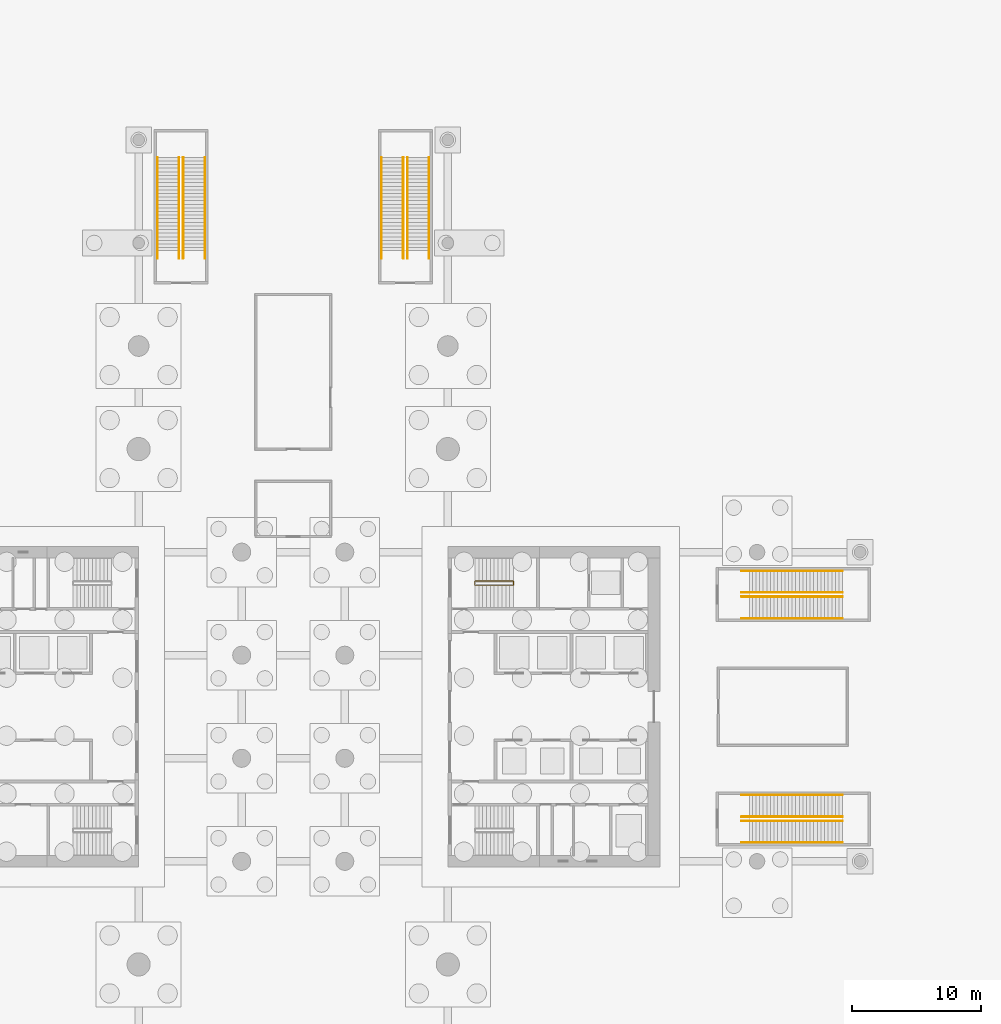
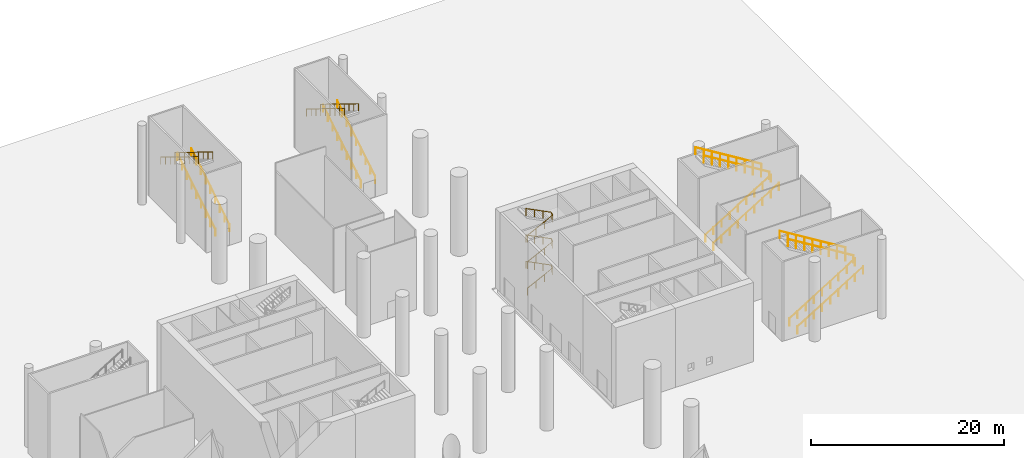
# One storey, part 12 of 14: 17 railings.
"""IFC4 building model written with IfcOpenShell, lengths in metres."""

import ifcopenshell
import ifcopenshell.guid

model = None  # the IFC model being written
_history = None  # IfcOwnerHistory: only IFC2X3 demands one
_inside = {}  # id of a spatial element -> (the spatial element, [elements in it])
_under = {}  # id of a project, library or spatial element -> (it, [spatial elements below it])
_declared = {}  # id of a project -> (the project, [libraries it declares])
_typed = {}  # id of a type object -> (the type object, [elements of that type])
_made_of = {}  # id of a material, layer set ... -> (it, [elements and type objects made of it])


def new_model(schema):
    """Start an empty IFC model of exactly this schema.

    Asked for "IFC4X3", IfcOpenShell would pick the latest addendum, in which some entities
    have other attributes; the version numbers below select the first issue.
    IFC2X3 requires an IfcOwnerHistory on every rooted entity: one is made here for all.
    """
    global model, _history
    if schema == "IFC4X3":
        model = ifcopenshell.file(schema_version=(4, 3, 0, 0))
    else:
        model = ifcopenshell.file(schema=schema)
    _inside.clear()
    _under.clear()
    _declared.clear()
    _typed.clear()
    _made_of.clear()
    _history = None
    if model.schema == "IFC2X3":
        org = make("IfcOrganization", Name="unknown")
        user = make(
            "IfcPersonAndOrganization",
            ThePerson=make("IfcPerson", FamilyName="unknown"),
            TheOrganization=org,
        )
        app = make(
            "IfcApplication",
            ApplicationDeveloper=org,
            Version="unknown",
            ApplicationFullName="unknown",
            ApplicationIdentifier="unknown",
        )
        _history = make(
            "IfcOwnerHistory",
            OwningUser=user,
            OwningApplication=app,
            ChangeAction="ADDED",
            CreationDate=0,
        )
    return model


def make(cls, **values):
    """One entity of the class cls with the attributes given. An attribute that is None is left unset."""
    return model.create_entity(
        cls, **{name: value for name, value in values.items() if value is not None}
    )


def rooted(cls, **values):
    """An entity with a GlobalId (a new one), such as an element, a storey or a relation."""
    return make(cls, GlobalId=ifcopenshell.guid.new(), OwnerHistory=_history, **values)


def si_unit(unit_type, name, prefix=None):
    """IfcSIUnit, for example si_unit("LENGTHUNIT", "METRE", prefix="MILLI")."""
    return make("IfcSIUnit", UnitType=unit_type, Prefix=prefix, Name=name)


def assignment(units):
    """IfcUnitAssignment: the units of a project."""
    return None if units is None else make("IfcUnitAssignment", Units=units)


def point(xyz):
    """IfcCartesianPoint."""
    return None if xyz is None else make("IfcCartesianPoint", Coordinates=xyz)


def direction(xyz):
    """IfcDirection."""
    return None if xyz is None else make("IfcDirection", DirectionRatios=xyz)


def frame(location, z_axis=None, x_axis=None):
    """IfcAxis2Placement3D, a coordinate frame: its origin and axes. An axis left out is left unset."""
    return make(
        "IfcAxis2Placement3D",
        Location=point(location),
        Axis=direction(z_axis),
        RefDirection=direction(x_axis),
    )


def frame_2d(location, x_axis=None):
    """IfcAxis2Placement2D, a coordinate frame in the plane: its origin and x axis."""
    return make(
        "IfcAxis2Placement2D", Location=point(location), RefDirection=direction(x_axis)
    )


def origin():
    """The frame at (0, 0, 0) with its axes left unset."""
    return frame((0.0, 0.0, 0.0))


def origin_2d():
    """The frame at (0, 0) in the plane with its x axis left unset."""
    return frame_2d((0.0, 0.0))


def place(relative_to, where):
    """IfcLocalPlacement: puts the frame where relative to a parent placement (None: the world)."""
    return make(
        "IfcLocalPlacement", PlacementRelTo=relative_to, RelativePlacement=where
    )


def context(
    kind, dimensions, precision=None, world=None, true_north=None, identifier=None
):
    """IfcGeometricRepresentationContext, for example the 3D "Model" context."""
    return make(
        "IfcGeometricRepresentationContext",
        ContextIdentifier=identifier,
        ContextType=kind,
        CoordinateSpaceDimension=dimensions,
        Precision=precision,
        WorldCoordinateSystem=world,
        TrueNorth=true_north,
    )


def subcontext(parent, identifier, kind, view, scale=None):
    """IfcGeometricRepresentationSubContext, for example "Body" below "Model"."""
    return make(
        "IfcGeometricRepresentationSubContext",
        ContextIdentifier=identifier,
        ContextType=kind,
        ParentContext=parent,
        TargetScale=scale,
        TargetView=view,
    )


def project(units=None, contexts=None):
    """IfcProject with its units and contexts."""
    return rooted(
        "IfcProject",
        Name="project",
        RepresentationContexts=contexts,
        UnitsInContext=assignment(units),
    )


def spatial(cls, under=None, at=None, **own):
    """A site, building, storey or space (cls), placed at a placement, below another one or the project."""
    s = rooted(cls, ObjectPlacement=at, **own)
    if under is not None:
        _under.setdefault(under.id(), (under, []))[1].append(s)
    return s


def profile(cls, at=None, kind="AREA", **sizes):
    """A parametric profile (cls). Its sizes go by their IFC names, for example OverallWidth=200.0."""
    return make(cls, ProfileType=kind, Position=at, **sizes)


def circle(**sizes):
    """IfcCircleProfileDef."""
    return profile("IfcCircleProfileDef", **sizes)


def extrude(swept, where, along, depth):
    """IfcExtrudedAreaSolid: the profile swept, set in the frame where, extruded along a direction by depth."""
    return make(
        "IfcExtrudedAreaSolid",
        SweptArea=swept,
        Position=where,
        ExtrudedDirection=direction(along),
        Depth=depth,
    )


def shape(context_of_items, identifier, shape_type, items):
    """IfcShapeRepresentation: the items that make up one representation, for example the "Body"."""
    return make(
        "IfcShapeRepresentation",
        ContextOfItems=context_of_items,
        RepresentationIdentifier=identifier,
        RepresentationType=shape_type,
        Items=items,
    )


def material(Name=None, Category=None):
    """IfcMaterial."""
    return make("IfcMaterial", Name=Name, Category=Category)


def made_of(thing, what):
    """Note that an element or type object is made of a material, layer set ...; save() writes the relation."""
    if what is not None:
        _made_of.setdefault(what.id(), (what, []))[1].append(thing)
    return thing


def type_object(cls, material=None, **own):
    """A type object (cls), such as IfcWallType, which elements share."""
    return made_of(rooted(cls, **own), material)


def element(
    cls,
    number,
    at=None,
    inside=None,
    cuts=None,
    type_object=None,
    material=None,
    context=None,
    identifier="Body",
    shape_type=None,
    held_by="IfcProductDefinitionShape",
    body=None,
    shapes=None,
    **own,
):
    """One element of the class cls, such as IfcWall. Its Tag is "e" and its number.

    at: its placement. inside: the storey or other place that contains it. cuts: it is an
    opening in that element (IfcRelVoidsElement). A single representation is given by context,
    identifier, shape_type and body (its items); several are given by shapes. held_by: the class
    of the entity that holds the representations. save() writes the other relations.
    """
    e = rooted(cls, Tag="e%d" % number, ObjectPlacement=at, **own)
    if body is not None:
        shapes = [shape(context, identifier, shape_type, body)]
    if shapes is not None:
        e.Representation = make(held_by, Representations=shapes)
    if inside is not None:
        _inside.setdefault(inside.id(), (inside, []))[1].append(e)
    if cuts is not None:
        rooted(
            "IfcRelVoidsElement", RelatingBuildingElement=cuts, RelatedOpeningElement=e
        )
    if type_object is not None:
        _typed.setdefault(type_object.id(), (type_object, []))[1].append(e)
    return made_of(e, material)


def aggregate(whole, parts):
    """IfcRelAggregates: a whole, such as a stair, and the parts it consists of."""
    return rooted("IfcRelAggregates", RelatingObject=whole, RelatedObjects=parts)


def save(model, path):
    """Write the relations noted so far, then the file.

    IfcRelAggregates (storeys below a building ...), IfcRelContainedInSpatialStructure (elements
    in a storey), IfcRelDefinesByType, IfcRelAssociatesMaterial and IfcRelDeclares: one each for
    every whole, place, type object, material and project.
    """
    for whole, parts in _under.values():
        aggregate(whole, parts)
    for where, things in _inside.values():
        rooted(
            "IfcRelContainedInSpatialStructure",
            RelatedElements=things,
            RelatingStructure=where,
        )
    for kind, things in _typed.values():
        rooted("IfcRelDefinesByType", RelatedObjects=things, RelatingType=kind)
    for what, things in _made_of.values():
        rooted("IfcRelAssociatesMaterial", RelatedObjects=things, RelatingMaterial=what)
    for by, libraries in _declared.values():
        rooted("IfcRelDeclares", RelatingContext=by, RelatedDefinitions=libraries)
    model.write(path)


model = new_model("IFC4")

# Units and contexts
model_context = context("Model", 3, precision=1e-05, world=origin(), true_north=direction((0.0, 1.0)))
body_context = subcontext(model_context, "Body", "Model", "MODEL_VIEW")
ifc_project = project(units=[si_unit("LENGTHUNIT", "METRE"), si_unit("AREAUNIT", "SQUARE_METRE"), si_unit("VOLUMEUNIT", "CUBIC_METRE"), si_unit("PLANEANGLEUNIT", "RADIAN"), si_unit("MASSUNIT", "GRAM", prefix="KILO")], contexts=[model_context])

# Site, building, storey
site_placement = place(None, origin())
site = spatial("IfcSite", under=ifc_project, at=site_placement, CompositionType="ELEMENT")
building_placement = place(site_placement, origin())
building = spatial("IfcBuilding", under=site, at=building_placement, Name="Crosswind Convention Tower", CompositionType="ELEMENT")
storey_placement = place(building_placement, origin())
storey = spatial("IfcBuildingStorey", under=building, at=storey_placement, Name="L00", CompositionType="ELEMENT", Elevation=0.0)

# Railings
ifc_material = material(Name="Stainless steel", Category="steel")
railing_type_1 = type_object("IfcRailingType", Name="STAIR HANDRAIL 900", PredefinedType="HANDRAIL", material=ifc_material)
for number, where, name in (
    (1, (159.800048828125, 89.4599609375, 0.17236328125), "Handrail E1 L00 1"),
    (2, (159.800048828125, 91.139892578125, 0.17236328125), "Handrail E1 L00 2"),
):
    element("IfcRailing", number, at=place(storey_placement, frame(where)), inside=storey, type_object=railing_type_1, Name=name, PredefinedType="HANDRAIL", context=body_context, shape_type="SweptSolid", body=[
        extrude(circle(Radius=0.02392578125, at=origin_2d()), frame((0.0, 0.0, 0.8759765625), z_axis=(0.851507146974, 0.0, 0.524342997143), x_axis=(0.0, 1.0, 0.0)), (0.0, 0.0, 1.0), 9.20703125),
        extrude(circle(Radius=0.02099609375, at=origin_2d()), origin(), (0.0, 0.0, 1.0), 0.851806640625),
        extrude(circle(Radius=0.02099609375, at=origin_2d()), frame((0.97998046875, 0.0, 0.603515625)), (0.0, 0.0, 1.0), 0.851806640625),
        extrude(circle(Radius=0.02099609375, at=origin_2d()), frame((1.9599609375, 0.0, 1.20703125)), (0.0, 0.0, 1.0), 0.851806640625),
        extrude(circle(Radius=0.02099609375, at=origin_2d()), frame((2.93994140625, 0.0, 1.810302734375)), (0.0, 0.0, 1.0), 0.851806640625),
        extrude(circle(Radius=0.02099609375, at=origin_2d()), frame((3.919921875, 0.0, 2.413818359375)), (0.0, 0.0, 1.0), 0.851806640625),
        extrude(circle(Radius=0.02099609375, at=origin_2d()), frame((4.89990234375, 0.0, 3.017333984375)), (0.0, 0.0, 1.0), 0.851806640625),
        extrude(circle(Radius=0.02099609375, at=origin_2d()), frame((5.8798828125, 0.0, 3.62060546875)), (0.0, 0.0, 1.0), 0.851806640625),
        extrude(circle(Radius=0.02099609375, at=origin_2d()), frame((6.85986328125, 0.0, 4.22412109375)), (0.0, 0.0, 1.0), 0.851806640625),
        extrude(circle(Radius=0.02099609375, at=origin_2d()), frame((7.83984375, 0.0, 4.82763671875)), (0.0, 0.0, 1.0), 0.851806640625),
    ])
for number, where, name in (
    (3, (167.639892578125, 91.4599609375, 5.17236328125), "Handrail E1 L00 3"),
    (4, (167.639892578125, 93.139892578125, 5.17236328125), "Handrail E1 L00 4"),
):
    element("IfcRailing", number, at=place(storey_placement, frame(where)), inside=storey, type_object=railing_type_1, Name=name, PredefinedType="HANDRAIL", context=body_context, shape_type="SweptSolid", body=[
        extrude(circle(Radius=0.02392578125, at=origin_2d()), frame((0.0, 0.0, 0.8759765625), z_axis=(-0.851507146974, 0.0, 0.524342997143), x_axis=(0.0, -1.0, 0.0)), (0.0, 0.0, 1.0), 9.20703125),
        extrude(circle(Radius=0.02099609375, at=origin_2d()), origin(), (0.0, 0.0, 1.0), 0.851806640625),
        extrude(circle(Radius=0.02099609375, at=origin_2d()), frame((-0.97998046875, 0.0, 0.603515625)), (0.0, 0.0, 1.0), 0.851806640625),
        extrude(circle(Radius=0.02099609375, at=origin_2d()), frame((-1.9599609375, 0.0, 1.20703125)), (0.0, 0.0, 1.0), 0.851806640625),
        extrude(circle(Radius=0.02099609375, at=origin_2d()), frame((-2.93994140625, 0.0, 1.810302734375)), (0.0, 0.0, 1.0), 0.851806640625),
        extrude(circle(Radius=0.02099609375, at=origin_2d()), frame((-3.919921875, 0.0, 2.413818359375)), (0.0, 0.0, 1.0), 0.851806640625),
        extrude(circle(Radius=0.02099609375, at=origin_2d()), frame((-4.89990234375, 0.0, 3.017333984375)), (0.0, 0.0, 1.0), 0.851806640625),
        extrude(circle(Radius=0.02099609375, at=origin_2d()), frame((-5.8798828125, 0.0, 3.62060546875)), (0.0, 0.0, 1.0), 0.851806640625),
        extrude(circle(Radius=0.02099609375, at=origin_2d()), frame((-6.85986328125, 0.0, 4.22412109375)), (0.0, 0.0, 1.0), 0.851806640625),
        extrude(circle(Radius=0.02099609375, at=origin_2d()), frame((-7.83984375, 0.0, 4.82763671875)), (0.0, 0.0, 1.0), 0.851806640625),
    ])
for number, where, name in (
    (5, (159.800048828125, 106.860107421875, 0.17236328125), "Handrail E2 L00 1"),
    (6, (159.800048828125, 108.5400390625, 0.17236328125), "Handrail E2 L00 2"),
):
    element("IfcRailing", number, at=place(storey_placement, frame(where)), inside=storey, type_object=railing_type_1, Name=name, PredefinedType="HANDRAIL", context=body_context, shape_type="SweptSolid", body=[
        extrude(circle(Radius=0.02392578125, at=origin_2d()), frame((0.0, 0.0, 0.8759765625), z_axis=(0.851507146974, 0.0, 0.524342997143), x_axis=(0.0, 1.0, 0.0)), (0.0, 0.0, 1.0), 9.20703125),
        extrude(circle(Radius=0.02099609375, at=origin_2d()), origin(), (0.0, 0.0, 1.0), 0.851806640625),
        extrude(circle(Radius=0.02099609375, at=origin_2d()), frame((0.97998046875, 0.0, 0.603515625)), (0.0, 0.0, 1.0), 0.851806640625),
        extrude(circle(Radius=0.02099609375, at=origin_2d()), frame((1.9599609375, 0.0, 1.20703125)), (0.0, 0.0, 1.0), 0.851806640625),
        extrude(circle(Radius=0.02099609375, at=origin_2d()), frame((2.93994140625, 0.0, 1.810302734375)), (0.0, 0.0, 1.0), 0.851806640625),
        extrude(circle(Radius=0.02099609375, at=origin_2d()), frame((3.919921875, 0.0, 2.413818359375)), (0.0, 0.0, 1.0), 0.851806640625),
        extrude(circle(Radius=0.02099609375, at=origin_2d()), frame((4.89990234375, 0.0, 3.017333984375)), (0.0, 0.0, 1.0), 0.851806640625),
        extrude(circle(Radius=0.02099609375, at=origin_2d()), frame((5.8798828125, 0.0, 3.62060546875)), (0.0, 0.0, 1.0), 0.851806640625),
        extrude(circle(Radius=0.02099609375, at=origin_2d()), frame((6.85986328125, 0.0, 4.22412109375)), (0.0, 0.0, 1.0), 0.851806640625),
        extrude(circle(Radius=0.02099609375, at=origin_2d()), frame((7.83984375, 0.0, 4.82763671875)), (0.0, 0.0, 1.0), 0.851806640625),
    ])
for number, where, name in (
    (7, (167.639892578125, 108.860107421875, 5.17236328125), "Handrail E2 L00 3"),
    (8, (167.639892578125, 110.5400390625, 5.17236328125), "Handrail E2 L00 4"),
):
    element("IfcRailing", number, at=place(storey_placement, frame(where)), inside=storey, type_object=railing_type_1, Name=name, PredefinedType="HANDRAIL", context=body_context, shape_type="SweptSolid", body=[
        extrude(circle(Radius=0.02392578125, at=origin_2d()), frame((0.0, 0.0, 0.8759765625), z_axis=(-0.851507146974, 0.0, 0.524342997143), x_axis=(0.0, -1.0, 0.0)), (0.0, 0.0, 1.0), 9.20703125),
        extrude(circle(Radius=0.02099609375, at=origin_2d()), origin(), (0.0, 0.0, 1.0), 0.851806640625),
        extrude(circle(Radius=0.02099609375, at=origin_2d()), frame((-0.97998046875, 0.0, 0.603515625)), (0.0, 0.0, 1.0), 0.851806640625),
        extrude(circle(Radius=0.02099609375, at=origin_2d()), frame((-1.9599609375, 0.0, 1.20703125)), (0.0, 0.0, 1.0), 0.851806640625),
        extrude(circle(Radius=0.02099609375, at=origin_2d()), frame((-2.93994140625, 0.0, 1.810302734375)), (0.0, 0.0, 1.0), 0.851806640625),
        extrude(circle(Radius=0.02099609375, at=origin_2d()), frame((-3.919921875, 0.0, 2.413818359375)), (0.0, 0.0, 1.0), 0.851806640625),
        extrude(circle(Radius=0.02099609375, at=origin_2d()), frame((-4.89990234375, 0.0, 3.017333984375)), (0.0, 0.0, 1.0), 0.851806640625),
        extrude(circle(Radius=0.02099609375, at=origin_2d()), frame((-5.8798828125, 0.0, 3.62060546875)), (0.0, 0.0, 1.0), 0.851806640625),
        extrude(circle(Radius=0.02099609375, at=origin_2d()), frame((-6.85986328125, 0.0, 4.22412109375)), (0.0, 0.0, 1.0), 0.851806640625),
        extrude(circle(Radius=0.02099609375, at=origin_2d()), frame((-7.83984375, 0.0, 4.82763671875)), (0.0, 0.0, 1.0), 0.851806640625),
    ])
for number, where, name in (
    (9, (118.139892578125, 134.800048828125, 0.17236328125), "Handrail N1 L00 1"),
    (10, (116.4599609375, 134.800048828125, 0.17236328125), "Handrail N1 L00 2"),
):
    element("IfcRailing", number, at=place(storey_placement, frame(where)), inside=storey, type_object=railing_type_1, Name=name, PredefinedType="HANDRAIL", context=body_context, shape_type="SweptSolid", body=[
        extrude(circle(Radius=0.02392578125, at=origin_2d()), frame((0.0, 0.0, 0.8759765625), z_axis=(0.0, 0.851507146974, 0.524342997143), x_axis=(-1.0, 0.0, 0.0)), (0.0, 0.0, 1.0), 9.20703125),
        extrude(circle(Radius=0.02099609375, at=origin_2d()), origin(), (0.0, 0.0, 1.0), 0.851806640625),
        extrude(circle(Radius=0.02099609375, at=origin_2d()), frame((0.0, 0.97998046875, 0.603515625)), (0.0, 0.0, 1.0), 0.851806640625),
        extrude(circle(Radius=0.02099609375, at=origin_2d()), frame((0.0, 1.9599609375, 1.20703125)), (0.0, 0.0, 1.0), 0.851806640625),
        extrude(circle(Radius=0.02099609375, at=origin_2d()), frame((0.0, 2.93994140625, 1.810302734375)), (0.0, 0.0, 1.0), 0.851806640625),
        extrude(circle(Radius=0.02099609375, at=origin_2d()), frame((0.0, 3.919921875, 2.413818359375)), (0.0, 0.0, 1.0), 0.851806640625),
        extrude(circle(Radius=0.02099609375, at=origin_2d()), frame((0.0, 4.89990234375, 3.017333984375)), (0.0, 0.0, 1.0), 0.851806640625),
        extrude(circle(Radius=0.02099609375, at=origin_2d()), frame((0.0, 5.8798828125, 3.62060546875)), (0.0, 0.0, 1.0), 0.851806640625),
        extrude(circle(Radius=0.02099609375, at=origin_2d()), frame((0.0, 6.85986328125, 4.22412109375)), (0.0, 0.0, 1.0), 0.851806640625),
        extrude(circle(Radius=0.02099609375, at=origin_2d()), frame((0.0, 7.83984375, 4.82763671875)), (0.0, 0.0, 1.0), 0.851806640625),
    ])
for number, where, name in (
    (11, (116.139892578125, 142.639892578125, 5.17236328125), "Handrail N1 L00 3"),
    (12, (114.4599609375, 142.639892578125, 5.17236328125), "Handrail N1 L00 4"),
):
    element("IfcRailing", number, at=place(storey_placement, frame(where)), inside=storey, type_object=railing_type_1, Name=name, PredefinedType="HANDRAIL", context=body_context, shape_type="SweptSolid", body=[
        extrude(circle(Radius=0.02392578125, at=origin_2d()), frame((0.0, 0.0, 0.8759765625), z_axis=(0.0, -0.851507146974, 0.524342997143), x_axis=(1.0, 0.0, 0.0)), (0.0, 0.0, 1.0), 9.20703125),
        extrude(circle(Radius=0.02099609375, at=origin_2d()), origin(), (0.0, 0.0, 1.0), 0.851806640625),
        extrude(circle(Radius=0.02099609375, at=origin_2d()), frame((0.0, -0.97998046875, 0.603515625)), (0.0, 0.0, 1.0), 0.851806640625),
        extrude(circle(Radius=0.02099609375, at=origin_2d()), frame((0.0, -1.9599609375, 1.20703125)), (0.0, 0.0, 1.0), 0.851806640625),
        extrude(circle(Radius=0.02099609375, at=origin_2d()), frame((0.0, -2.93994140625, 1.810302734375)), (0.0, 0.0, 1.0), 0.851806640625),
        extrude(circle(Radius=0.02099609375, at=origin_2d()), frame((0.0, -3.919921875, 2.413818359375)), (0.0, 0.0, 1.0), 0.851806640625),
        extrude(circle(Radius=0.02099609375, at=origin_2d()), frame((0.0, -4.89990234375, 3.017333984375)), (0.0, 0.0, 1.0), 0.851806640625),
        extrude(circle(Radius=0.02099609375, at=origin_2d()), frame((0.0, -5.8798828125, 3.62060546875)), (0.0, 0.0, 1.0), 0.851806640625),
        extrude(circle(Radius=0.02099609375, at=origin_2d()), frame((0.0, -6.85986328125, 4.22412109375)), (0.0, 0.0, 1.0), 0.851806640625),
        extrude(circle(Radius=0.02099609375, at=origin_2d()), frame((0.0, -7.83984375, 4.82763671875)), (0.0, 0.0, 1.0), 0.851806640625),
    ])
for number, where, name in (
    (13, (135.5400390625, 134.800048828125, 0.17236328125), "Handrail N2 L00 1"),
    (14, (133.860107421875, 134.800048828125, 0.17236328125), "Handrail N2 L00 2"),
):
    element("IfcRailing", number, at=place(storey_placement, frame(where)), inside=storey, type_object=railing_type_1, Name=name, PredefinedType="HANDRAIL", context=body_context, shape_type="SweptSolid", body=[
        extrude(circle(Radius=0.02392578125, at=origin_2d()), frame((0.0, 0.0, 0.8759765625), z_axis=(0.0, 0.851507146974, 0.524342997143), x_axis=(-1.0, 0.0, 0.0)), (0.0, 0.0, 1.0), 9.20703125),
        extrude(circle(Radius=0.02099609375, at=origin_2d()), origin(), (0.0, 0.0, 1.0), 0.851806640625),
        extrude(circle(Radius=0.02099609375, at=origin_2d()), frame((0.0, 0.97998046875, 0.603515625)), (0.0, 0.0, 1.0), 0.851806640625),
        extrude(circle(Radius=0.02099609375, at=origin_2d()), frame((0.0, 1.9599609375, 1.20703125)), (0.0, 0.0, 1.0), 0.851806640625),
        extrude(circle(Radius=0.02099609375, at=origin_2d()), frame((0.0, 2.93994140625, 1.810302734375)), (0.0, 0.0, 1.0), 0.851806640625),
        extrude(circle(Radius=0.02099609375, at=origin_2d()), frame((0.0, 3.919921875, 2.413818359375)), (0.0, 0.0, 1.0), 0.851806640625),
        extrude(circle(Radius=0.02099609375, at=origin_2d()), frame((0.0, 4.89990234375, 3.017333984375)), (0.0, 0.0, 1.0), 0.851806640625),
        extrude(circle(Radius=0.02099609375, at=origin_2d()), frame((0.0, 5.8798828125, 3.62060546875)), (0.0, 0.0, 1.0), 0.851806640625),
        extrude(circle(Radius=0.02099609375, at=origin_2d()), frame((0.0, 6.85986328125, 4.22412109375)), (0.0, 0.0, 1.0), 0.851806640625),
        extrude(circle(Radius=0.02099609375, at=origin_2d()), frame((0.0, 7.83984375, 4.82763671875)), (0.0, 0.0, 1.0), 0.851806640625),
    ])
for number, where, name in (
    (15, (133.5400390625, 142.639892578125, 5.17236328125), "Handrail N2 L00 3"),
    (16, (131.860107421875, 142.639892578125, 5.17236328125), "Handrail N2 L00 4"),
):
    element("IfcRailing", number, at=place(storey_placement, frame(where)), inside=storey, type_object=railing_type_1, Name=name, PredefinedType="HANDRAIL", context=body_context, shape_type="SweptSolid", body=[
        extrude(circle(Radius=0.02392578125, at=origin_2d()), frame((0.0, 0.0, 0.8759765625), z_axis=(0.0, -0.851507146974, 0.524342997143), x_axis=(1.0, 0.0, 0.0)), (0.0, 0.0, 1.0), 9.20703125),
        extrude(circle(Radius=0.02099609375, at=origin_2d()), origin(), (0.0, 0.0, 1.0), 0.851806640625),
        extrude(circle(Radius=0.02099609375, at=origin_2d()), frame((0.0, -0.97998046875, 0.603515625)), (0.0, 0.0, 1.0), 0.851806640625),
        extrude(circle(Radius=0.02099609375, at=origin_2d()), frame((0.0, -1.9599609375, 1.20703125)), (0.0, 0.0, 1.0), 0.851806640625),
        extrude(circle(Radius=0.02099609375, at=origin_2d()), frame((0.0, -2.93994140625, 1.810302734375)), (0.0, 0.0, 1.0), 0.851806640625),
        extrude(circle(Radius=0.02099609375, at=origin_2d()), frame((0.0, -3.919921875, 2.413818359375)), (0.0, 0.0, 1.0), 0.851806640625),
        extrude(circle(Radius=0.02099609375, at=origin_2d()), frame((0.0, -4.89990234375, 3.017333984375)), (0.0, 0.0, 1.0), 0.851806640625),
        extrude(circle(Radius=0.02099609375, at=origin_2d()), frame((0.0, -5.8798828125, 3.62060546875)), (0.0, 0.0, 1.0), 0.851806640625),
        extrude(circle(Radius=0.02099609375, at=origin_2d()), frame((0.0, -6.85986328125, 4.22412109375)), (0.0, 0.0, 1.0), 0.851806640625),
        extrude(circle(Radius=0.02099609375, at=origin_2d()), frame((0.0, -7.83984375, 4.82763671875)), (0.0, 0.0, 1.0), 0.851806640625),
    ])
railing_type_2 = type_object("IfcRailingType", Name="Stair handrail 900", PredefinedType="HANDRAIL", material=ifc_material)
railing_placement = place(storey_placement, frame((139.10009765625, 109.43994140625, 0.151611328125)))
element("IfcRailing", 17, at=railing_placement, inside=storey, type_object=railing_type_2, Name="Stair ST1 handrail L00", PredefinedType="HANDRAIL", context=body_context, shape_type="SweptSolid", body=[
    extrude(circle(Radius=0.02392578125, at=origin_2d()), frame((0.0, 0.0, 0.8759765625), z_axis=(0.892618425421, 0.0, 0.450812984063), x_axis=(0.0, 1.0, 0.0)), (0.0, 0.0, 1.0), 3.36083984375),
    extrude(circle(Radius=0.02392578125, at=origin_2d()), frame((3.0, 0.0, 2.39111328125), z_axis=(0.0, 0.904004436312, 0.427523074381), x_axis=(-1.0, 0.0, 0.0)), (0.0, 0.0, 1.0), 0.35400390625),
    extrude(circle(Radius=0.02392578125, at=origin_2d()), frame((3.0, 0.320068359375, 2.54248046875), z_axis=(-0.892618425421, 0.0, 0.450812984063), x_axis=(0.0, -1.0, 0.0)), (0.0, 0.0, 1.0), 3.36083984375),
    extrude(circle(Radius=0.02392578125, at=origin_2d()), frame((0.0, 0.320068359375, 4.0576171875), z_axis=(0.0, -0.903737838894, 0.428086344739), x_axis=(1.0, 0.0, 0.0)), (0.0, 0.0, 1.0), 0.354248046875),
    extrude(circle(Radius=0.02392578125, at=origin_2d()), frame((0.0, 0.0, 4.208984375), z_axis=(0.892618425421, 0.0, 0.450812984063), x_axis=(0.0, 1.0, 0.0)), (0.0, 0.0, 1.0), 3.36083984375),
    extrude(circle(Radius=0.02392578125, at=origin_2d()), frame((3.0, 0.0, 5.72412109375), z_axis=(0.0, 0.903737838894, 0.428086344739), x_axis=(-1.0, 0.0, 0.0)), (0.0, 0.0, 1.0), 0.354248046875),
    extrude(circle(Radius=0.02392578125, at=origin_2d()), frame((3.0, 0.320068359375, 5.8759765625), z_axis=(-0.892618425421, 0.0, 0.450812984063), x_axis=(0.0, -1.0, 0.0)), (0.0, 0.0, 1.0), 3.36083984375),
    extrude(circle(Radius=0.02392578125, at=origin_2d()), frame((0.0, 0.320068359375, 7.39111328125), z_axis=(0.0, -0.904004436312, 0.427523074381), x_axis=(1.0, 0.0, 0.0)), (0.0, 0.0, 1.0), 0.35400390625),
    extrude(circle(Radius=0.02392578125, at=origin_2d()), frame((0.0, 0.0, 7.54248046875), z_axis=(0.892618425421, 0.0, 0.450812984063), x_axis=(0.0, 1.0, 0.0)), (0.0, 0.0, 1.0), 3.36083984375),
    extrude(circle(Radius=0.02392578125, at=origin_2d()), frame((3.0, 0.0, 9.0576171875), z_axis=(0.0, 0.903737838894, 0.428086344739), x_axis=(-1.0, 0.0, 0.0)), (0.0, 0.0, 1.0), 0.354248046875),
    extrude(circle(Radius=0.02392578125, at=origin_2d()), frame((3.0, 0.320068359375, 9.208984375), z_axis=(-0.892618425421, 0.0, 0.450812984063), x_axis=(0.0, -1.0, 0.0)), (0.0, 0.0, 1.0), 3.36083984375),
    extrude(circle(Radius=0.02099609375, at=origin_2d()), origin(), (0.0, 0.0, 1.0), 0.851806640625),
    extrude(circle(Radius=0.02099609375, at=origin_2d()), frame((1.0, 0.0, 0.505126953125)), (0.0, 0.0, 1.0), 0.851806640625),
    extrude(circle(Radius=0.02099609375, at=origin_2d()), frame((2.0, 0.0, 1.010009765625)), (0.0, 0.0, 1.0), 0.851806640625),
    extrude(circle(Radius=0.02099609375, at=origin_2d()), frame((3.0, 0.0, 1.51513671875)), (0.0, 0.0, 1.0), 0.851806640625),
    extrude(circle(Radius=0.02099609375, at=origin_2d()), frame((3.0, 0.320068359375, 1.66650390625)), (0.0, 0.0, 1.0), 0.851806640625),
    extrude(circle(Radius=0.02099609375, at=origin_2d()), frame((2.0, 0.320068359375, 2.171630859375)), (0.0, 0.0, 1.0), 0.851806640625),
    extrude(circle(Radius=0.02099609375, at=origin_2d()), frame((1.0, 0.320068359375, 2.676513671875)), (0.0, 0.0, 1.0), 0.851806640625),
    extrude(circle(Radius=0.02099609375, at=origin_2d()), frame((0.0, 0.320068359375, 3.181640625)), (0.0, 0.0, 1.0), 0.851806640625),
    extrude(circle(Radius=0.02099609375, at=origin_2d()), frame((0.0, 0.0, 3.333251953125)), (0.0, 0.0, 1.0), 0.851806640625),
    extrude(circle(Radius=0.02099609375, at=origin_2d()), frame((1.0, 0.0, 3.83837890625)), (0.0, 0.0, 1.0), 0.851806640625),
    extrude(circle(Radius=0.02099609375, at=origin_2d()), frame((2.0, 0.0, 4.34326171875)), (0.0, 0.0, 1.0), 0.851806640625),
    extrude(circle(Radius=0.02099609375, at=origin_2d()), frame((3.0, 0.0, 4.848388671875)), (0.0, 0.0, 1.0), 0.851806640625),
    extrude(circle(Radius=0.02099609375, at=origin_2d()), frame((3.0, 0.320068359375, 5.0)), (0.0, 0.0, 1.0), 0.851806640625),
    extrude(circle(Radius=0.02099609375, at=origin_2d()), frame((2.0, 0.320068359375, 5.505126953125)), (0.0, 0.0, 1.0), 0.851806640625),
    extrude(circle(Radius=0.02099609375, at=origin_2d()), frame((1.0, 0.320068359375, 6.010009765625)), (0.0, 0.0, 1.0), 0.851806640625),
    extrude(circle(Radius=0.02099609375, at=origin_2d()), frame((0.0, 0.320068359375, 6.51513671875)), (0.0, 0.0, 1.0), 0.851806640625),
    extrude(circle(Radius=0.02099609375, at=origin_2d()), frame((0.0, 0.0, 6.66650390625)), (0.0, 0.0, 1.0), 0.851806640625),
    extrude(circle(Radius=0.02099609375, at=origin_2d()), frame((1.0, 0.0, 7.171630859375)), (0.0, 0.0, 1.0), 0.851806640625),
    extrude(circle(Radius=0.02099609375, at=origin_2d()), frame((2.0, 0.0, 7.676513671875)), (0.0, 0.0, 1.0), 0.851806640625),
    extrude(circle(Radius=0.02099609375, at=origin_2d()), frame((3.0, 0.0, 8.181640625)), (0.0, 0.0, 1.0), 0.851806640625),
    extrude(circle(Radius=0.02099609375, at=origin_2d()), frame((3.0, 0.320068359375, 8.333251953125)), (0.0, 0.0, 1.0), 0.851806640625),
    extrude(circle(Radius=0.02099609375, at=origin_2d()), frame((2.0, 0.320068359375, 8.83837890625)), (0.0, 0.0, 1.0), 0.851806640625),
    extrude(circle(Radius=0.02099609375, at=origin_2d()), frame((1.0, 0.320068359375, 9.34326171875)), (0.0, 0.0, 1.0), 0.851806640625),
    extrude(circle(Radius=0.02099609375, at=origin_2d()), frame((0.0, 0.320068359375, 9.848388671875)), (0.0, 0.0, 1.0), 0.851806640625),
])

save(model, "model.ifc")
